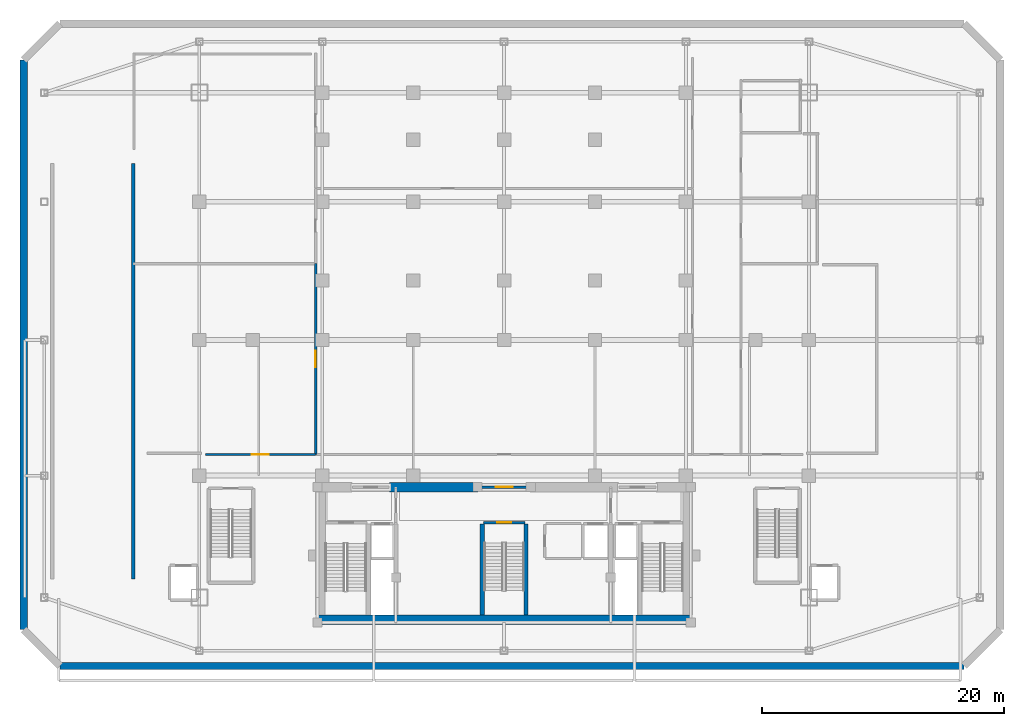
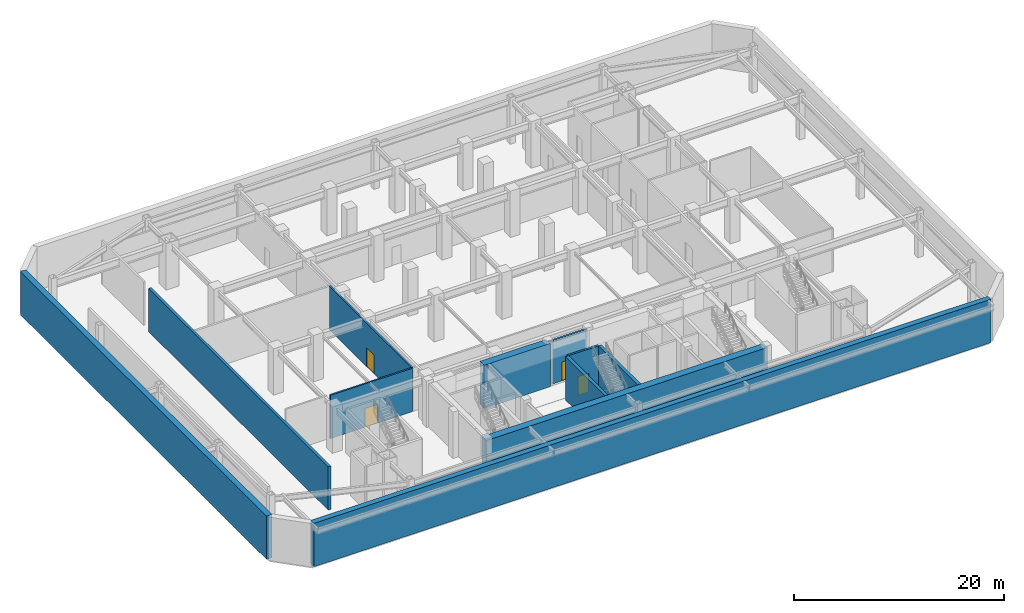
# One storey, part 4 of 9: 11 walls, 4 doors, 4 openings.
"""IFC4 building model written with IfcOpenShell, lengths in metres."""

from ifc_helpers import new_model, si_unit, direction, frame, frame_2d, origin, place, context, subcontext, project, spatial, rectangle, extrude, material, layer, layer_set, type_object, element, fill, save


model = new_model("IFC4")

# Units and contexts
model_context = context("Model", 3, precision=1e-05, world=origin(), true_north=direction((0.0, 1.0)))
body_context = subcontext(model_context, "Body", "Model", "MODEL_VIEW")
ifc_project = project(units=[si_unit("LENGTHUNIT", "METRE"), si_unit("AREAUNIT", "SQUARE_METRE"), si_unit("VOLUMEUNIT", "CUBIC_METRE"), si_unit("PLANEANGLEUNIT", "RADIAN"), si_unit("MASSUNIT", "GRAM", prefix="KILO")], contexts=[model_context])

# Site, building, storey
site_placement = place(None, origin())
site = spatial("IfcSite", under=ifc_project, at=site_placement, CompositionType="ELEMENT")
building_placement = place(site_placement, origin())
building = spatial("IfcBuilding", under=site, at=building_placement, Name="Ventersveld Concourse Tower", CompositionType="ELEMENT")
storey_placement = place(building_placement, frame((0.0, 0.0, -5.39990234375)))
storey = spatial("IfcBuildingStorey", under=building, at=storey_placement, Name="B01", CompositionType="ELEMENT", Elevation=-5.39990234375)

# Walls
ifc_material_1 = material(Name="Concrete C60/75", Category="concrete")
ifc_layer_1 = layer(ifc_material_1, 0.35009765625)
ifc_layer_set_1 = layer_set([ifc_layer_1], Name="Concrete C60/75")
wall_type_1 = type_object("IfcWallType", Name="WL-CORE-350L", PredefinedType="SHEAR", material=ifc_layer_set_1)
for number, where, z_axis, x_axis, name in (
    (1, (26.93994140625, 0.919921875, 0.0), (0.0, 0.0, 1.0), (0.0, 1.0, 0.0), "B01 Core Internal Shear Web W-ST3-W"),
    (2, (30.56005859375, 0.919921875, 0.0), (0.0, 0.0, 1.0), (0.0, 1.0, 0.0), "B01 Core Internal Shear Web W-ST3-E"),
):
    element("IfcWall", number, at=place(storey_placement, frame(where, z_axis=z_axis, x_axis=x_axis)), inside=storey, type_object=wall_type_1, Name=name, PredefinedType="SHEAR", context=body_context, shape_type="SweptSolid", body=[
        extrude(rectangle(XDim=7.5, YDim=0.35009765625, at=frame_2d((3.75, 0.0))), origin(), (0.0, 0.0, 1.0), 5.0498046875),
    ])
ifc_layer_2 = layer(ifc_material_1, 0.800048828125)
ifc_layer_set_2 = layer_set([ifc_layer_2], Name="Concrete C60/75")
wall_type_2 = type_object("IfcWallType", Name="WL-CORE-800", PredefinedType="SHEAR", material=ifc_layer_set_2)
wall_1_placement = place(storey_placement, frame((13.25, 0.52001953125, 0.0), z_axis=(0.0, 0.0, 1.0), x_axis=(1.0, 0.0, 0.0)))
element("IfcWall", 3, at=wall_1_placement, inside=storey, type_object=wall_type_2, Name="B01 Rear Core South Shear Wall", PredefinedType="SHEAR", context=body_context, shape_type="SweptSolid", body=[
    extrude(rectangle(XDim=31.0, YDim=0.800048828125, at=frame_2d((15.5, 0.0))), origin(), (0.0, 0.0, 1.0), 5.0498046875),
])
wall_2_placement = place(storey_placement, frame((19.300048828125, 11.449951171875, 0.0), z_axis=(0.0, 0.0, 1.0), x_axis=(1.0, 0.0, 0.0)))
element("IfcWall", 4, at=wall_2_placement, inside=storey, type_object=wall_type_2, Name="B01 Rear Core North Shear Wall NML", PredefinedType="SHEAR", context=body_context, shape_type="SweptSolid", body=[
    extrude(rectangle(XDim=7.300048828125, YDim=0.800048828125, at=frame_2d((3.64990234375, 0.0))), origin(), (0.0, 0.0, 1.0), 5.0498046875),
])

# Wall, opening, door
ifc_material_2 = material(Name="Fire-rated autoclaved aerated masonry blockwork", Category="masonry")
ifc_layer_3 = layer(ifc_material_2, 0.179931640625)
ifc_layer_set_3 = layer_set([ifc_layer_3], Name="Fire-rated autoclaved aerated masonry blockwork")
wall_type_3 = type_object("IfcWallType", Name="WL-CORR-180", PredefinedType="PARTITIONING", material=ifc_layer_set_3)
wall_3_placement = place(storey_placement, frame((4.10498046875, 14.14990234375, 0.0), z_axis=(0.0, 0.0, 1.0), x_axis=(1.0, 0.0, 0.0)))
wall_3 = element("IfcWall", 5, at=wall_3_placement, inside=storey, type_object=wall_type_3, Name="B01 Interior Partition SP-B01-ECOR-SP-B01-SUB", PredefinedType="PARTITIONING", context=body_context, shape_type="SweptSolid", body=[
    extrude(rectangle(XDim=9.070068359375, YDim=0.179931640625, at=frame_2d((4.53515625, 0.0))), origin(), (0.0, 0.0, 1.0), 5.0498046875),
])
opening_1_placement = place(wall_3_placement, frame((3.8349609375, 0.0, 0.0)))
opening_1 = element("IfcOpeningElement", 6, at=opening_1_placement, cuts=wall_3, Name="Opening FD4", PredefinedType="OPENING", context=body_context, shape_type="SweptSolid", body=[
    extrude(rectangle(XDim=1.39990234375, YDim=2.199951171875, at=frame_2d((0.699951171875, 1.10009765625))), frame((0.0, 0.10009765625, 0.0), z_axis=(0.0, -1.0, 0.0), x_axis=(1.0, 0.0, 0.0)), (0.0, 0.0, 1.0), 0.199951171875),
])
ifc_material_3 = material(Name="Galvanised painted steel", Category="steel")
door_type_1 = type_object("IfcDoorType", Name="DR-PLANT-140", OperationType="DOUBLE_DOOR_SINGLE_SWING", PredefinedType="DOOR", material=ifc_material_3)
door_1_placement = place(opening_1_placement, origin())
door_1 = element("IfcDoor", 7, at=door_1_placement, inside=storey, type_object=door_type_1, Name="B01 Interior Door SP-B01-ECOR to SP-B01-SUB (FD-B01-0036)", OperationType="DOUBLE_DOOR_SINGLE_SWING", OverallHeight=2.199951171875, OverallWidth=1.39990234375, PredefinedType="DOOR", context=body_context, shape_type="SweptSolid", body=[
    extrude(rectangle(XDim=1.39990234375, YDim=2.199951171875, at=frame_2d((0.699951171875, 1.10009765625))), frame((0.0, 0.02490234375, 0.0), z_axis=(0.0, -1.0, 0.0), x_axis=(1.0, 0.0, 0.0)), (0.0, 0.0, 1.0), 0.050048828125),
])
fill(opening_1, door_1)

wall_4_placement = place(storey_placement, frame((13.199951171875, 14.155029296875, 0.0), z_axis=(0.0, 0.0, 1.0), x_axis=(0.0, 1.0, 0.0)))
wall_4 = element("IfcWall", 8, at=wall_4_placement, inside=storey, type_object=wall_type_3, Name="B01 Interior Partition SP-B01-FARE-SP-B01-SUB", PredefinedType="PARTITIONING", context=body_context, shape_type="SweptSolid", body=[
    extrude(rectangle(XDim=15.739990234375, YDim=0.179931640625, at=frame_2d((7.8701171875, 0.0))), origin(), (0.0, 0.0, 1.0), 5.0498046875),
])
opening_2_placement = place(wall_4_placement, frame((7.169921875, 0.0, 0.0)))
opening_2 = element("IfcOpeningElement", 9, at=opening_2_placement, cuts=wall_4, Name="Opening FD4", PredefinedType="OPENING", context=body_context, shape_type="SweptSolid", body=[
    extrude(rectangle(XDim=1.39990234375, YDim=2.199951171875, at=frame_2d((0.699951171875, 1.10009765625))), frame((0.0, 0.10009765625, 0.0), z_axis=(0.0, -1.0, 0.0), x_axis=(1.0, 0.0, 0.0)), (0.0, 0.0, 1.0), 0.199951171875),
])
door_2_placement = place(opening_2_placement, origin())
door_2 = element("IfcDoor", 10, at=door_2_placement, inside=storey, type_object=door_type_1, Name="B01 Interior Door SP-B01-FARE to SP-B01-SUB (FD-B01-0040)", OperationType="DOUBLE_DOOR_SINGLE_SWING", OverallHeight=2.199951171875, OverallWidth=1.39990234375, PredefinedType="DOOR", context=body_context, shape_type="SweptSolid", body=[
    extrude(rectangle(XDim=1.39990234375, YDim=2.199951171875, at=frame_2d((0.699951171875, 1.10009765625))), frame((0.0, 0.02490234375, 0.0), z_axis=(0.0, -1.0, 0.0), x_axis=(1.0, 0.0, 0.0)), (0.0, 0.0, 1.0), 0.050048828125),
])
fill(opening_2, door_2)

ifc_layer_4 = layer(ifc_material_2, 0.219970703125)
ifc_layer_set_4 = layer_set([ifc_layer_4], Name="Fire-rated autoclaved aerated masonry blockwork")
wall_type_4 = type_object("IfcWallType", Name="WL-HOIST-220", PredefinedType="SOLIDWALL", material=ifc_layer_set_4)
wall_5_placement = place(storey_placement, frame((27.0400390625, 8.52001953125, 0.0), z_axis=(0.0, 0.0, 1.0), x_axis=(1.0, 0.0, 0.0)))
wall_5 = element("IfcWall", 11, at=wall_5_placement, inside=storey, type_object=wall_type_4, Name="B01 Escape Stair ST03 Fire Wall", PredefinedType="SOLIDWALL", context=body_context, shape_type="SweptSolid", body=[
    extrude(rectangle(XDim=3.419921875, YDim=0.219970703125, at=frame_2d((1.7099609375, 0.0))), origin(), (0.0, 0.0, 1.0), 5.0498046875),
])
opening_3_placement = place(wall_5_placement, frame((1.135009765625, 0.0, 0.0)))
opening_3 = element("IfcOpeningElement", 12, at=opening_3_placement, cuts=wall_5, Name="Opening FD1", PredefinedType="OPENING", context=body_context, shape_type="SweptSolid", body=[
    extrude(rectangle(XDim=1.14990234375, YDim=2.199951171875, at=frame_2d((0.574951171875, 1.10009765625))), frame((0.0, 0.1201171875, 0.0), z_axis=(0.0, -1.0, 0.0), x_axis=(1.0, 0.0, 0.0)), (0.0, 0.0, 1.0), 0.239990234375),
])
door_type_2 = type_object("IfcDoorType", Name="DR-STAIR-115", OperationType="NOTDEFINED", PredefinedType="DOOR", material=ifc_material_3)
door_3_placement = place(opening_3_placement, origin())
door_3 = element("IfcDoor", 13, at=door_3_placement, inside=storey, type_object=door_type_2, Name="B01 Escape Stair Door ST03 (SD-B01-0026)", OperationType="SINGLE_SWING_LEFT", OverallHeight=2.199951171875, OverallWidth=1.14990234375, PredefinedType="DOOR", context=body_context, shape_type="SweptSolid", body=[
    extrude(rectangle(XDim=1.14990234375, YDim=2.199951171875, at=frame_2d((0.574951171875, 1.10009765625))), frame((0.0, 0.02490234375, 0.0), z_axis=(0.0, -1.0, 0.0), x_axis=(1.0, 0.0, 0.0)), (0.0, 0.0, 1.0), 0.050048828125),
])
fill(opening_3, door_3)

wall_6_placement = place(storey_placement, frame((26.6298828125, 11.449951171875, 0.0), z_axis=(0.0, 0.0, 1.0), x_axis=(1.0, 0.0, 0.0)))
wall_6 = element("IfcWall", 14, at=wall_6_placement, inside=storey, type_object=wall_type_4, Name="B01 Core North Fire Portal PLOB-OUT", PredefinedType="SOLIDWALL", context=body_context, shape_type="SweptSolid", body=[
    extrude(rectangle(XDim=4.240234375, YDim=0.219970703125, at=frame_2d((2.1201171875, 0.0))), origin(), (0.0, 0.0, 1.0), 5.0498046875),
])
opening_4_placement = place(wall_6_placement, frame((1.419921875, 0.0, 0.0)))
opening_4 = element("IfcOpeningElement", 15, at=opening_4_placement, cuts=wall_6, Name="Opening FD4", PredefinedType="OPENING", context=body_context, shape_type="SweptSolid", body=[
    extrude(rectangle(XDim=1.39990234375, YDim=2.199951171875, at=frame_2d((0.699951171875, 1.10009765625))), frame((0.0, 0.1201171875, 0.0), z_axis=(0.0, -1.0, 0.0), x_axis=(1.0, 0.0, 0.0)), (0.0, 0.0, 1.0), 0.239990234375),
])
door_4_placement = place(opening_4_placement, origin())
door_4 = element("IfcDoor", 16, at=door_4_placement, inside=storey, type_object=door_type_1, Name="B01 Core Lobby Fire Door PLOB-OUT (FD-B01-0032)", OperationType="DOUBLE_DOOR_SINGLE_SWING", OverallHeight=2.199951171875, OverallWidth=1.39990234375, PredefinedType="DOOR", context=body_context, shape_type="SweptSolid", body=[
    extrude(rectangle(XDim=1.39990234375, YDim=2.199951171875, at=frame_2d((0.699951171875, 1.10009765625))), frame((0.0, 0.02490234375, 0.0), z_axis=(0.0, -1.0, 0.0), x_axis=(1.0, 0.0, 0.0)), (0.0, 0.0, 1.0), 0.050048828125),
])
fill(opening_4, door_4)

# Walls
ifc_material_4 = material(Name="Concrete C50/60", Category="concrete")
ifc_layer_5 = layer(ifc_material_4, 0.60009765625)
ifc_layer_set_5 = layer_set([ifc_layer_5], Name="Concrete C50/60")
wall_type_5 = type_object("IfcWallType", Name="WL-RET-600", PredefinedType="SOLIDWALL", material=ifc_layer_set_5)
wall_7_placement = place(storey_placement, frame((-7.89990234375, -3.300048828125, 0.0), z_axis=(0.0, 0.0, 1.0), x_axis=(1.0, 0.0, 0.0)))
element("IfcWall", 17, at=wall_7_placement, inside=storey, type_object=wall_type_5, Name="B01 Basement Retaining Wall 01", PredefinedType="SOLIDWALL", context=body_context, shape_type="SweptSolid", body=[
    extrude(rectangle(XDim=74.599853515625, YDim=0.60009765625, at=frame_2d((37.2998046875, 0.0))), origin(), (0.0, 0.0, 1.0), 5.0498046875),
])
wall_8_placement = place(storey_placement, frame((-10.89990234375, 46.699951171875, 0.0), z_axis=(0.0, 0.0, 1.0), x_axis=(0.0, -1.0, 0.0)))
element("IfcWall", 18, at=wall_8_placement, inside=storey, type_object=wall_type_5, Name="B01 Basement Retaining Wall 07", PredefinedType="SOLIDWALL", context=body_context, shape_type="SweptSolid", body=[
    extrude(rectangle(XDim=47.0, YDim=0.60009765625, at=frame_2d((23.5, 0.0))), origin(), (0.0, 0.0, 1.0), 5.0498046875),
])
ifc_layer_6 = layer(ifc_material_4, 0.280029296875)
ifc_layer_set_6 = layer_set([ifc_layer_6], Name="Concrete C50/60")
wall_type_6 = type_object("IfcWallType", Name="WL-SHAFT-280", PredefinedType="SHEAR", material=ifc_layer_set_6)
wall_9_placement = place(storey_placement, frame((-1.860107421875, 3.8798828125, 0.0), z_axis=(0.0, 0.0, 1.0), x_axis=(0.0, 1.0, 0.0)))
element("IfcWall", 19, at=wall_9_placement, inside=storey, type_object=wall_type_6, Name="B01 Ramp Structural Shaft Wall RMPW-E", PredefinedType="SHEAR", context=body_context, shape_type="SweptSolid", body=[
    extrude(rectangle(XDim=34.27001953125, YDim=0.280029296875, at=frame_2d((17.135009765625, 0.0))), origin(), (0.0, 0.0, 1.0), 5.0498046875),
])

save(model, "model.ifc")
